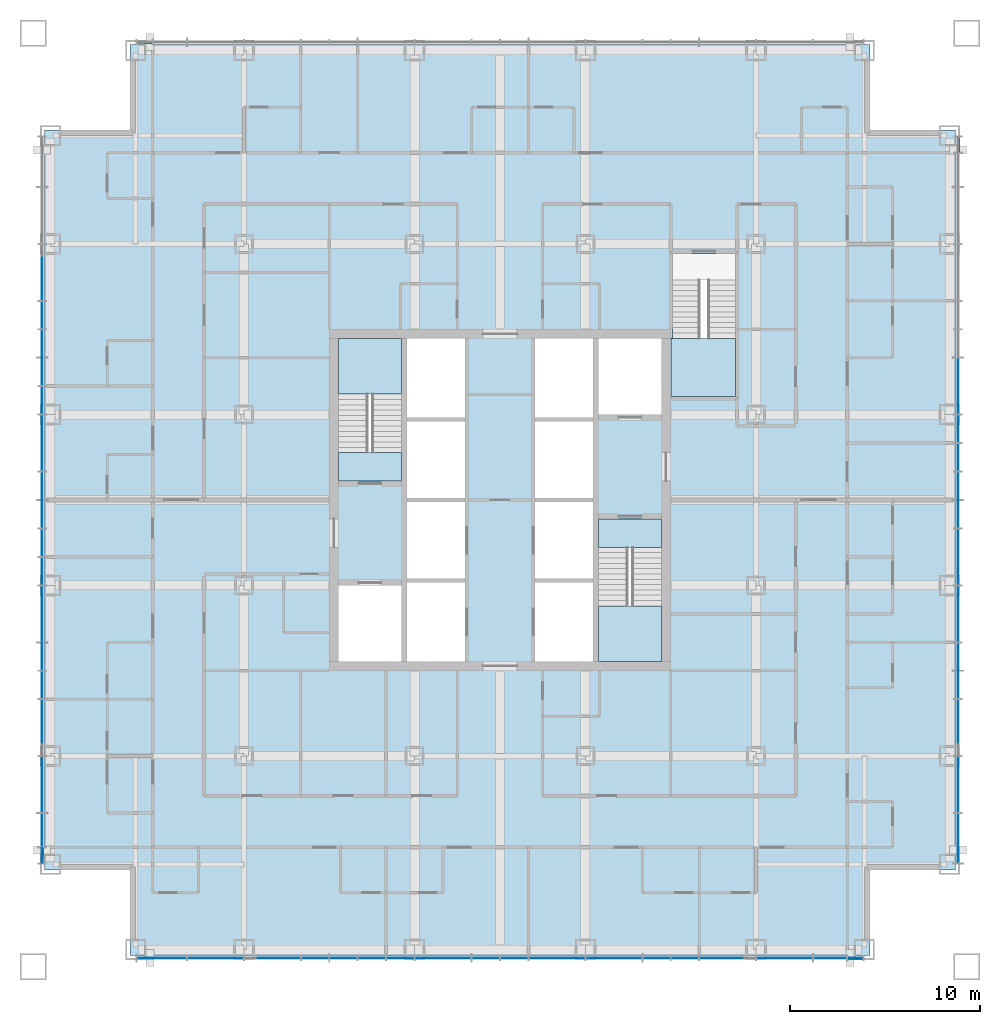
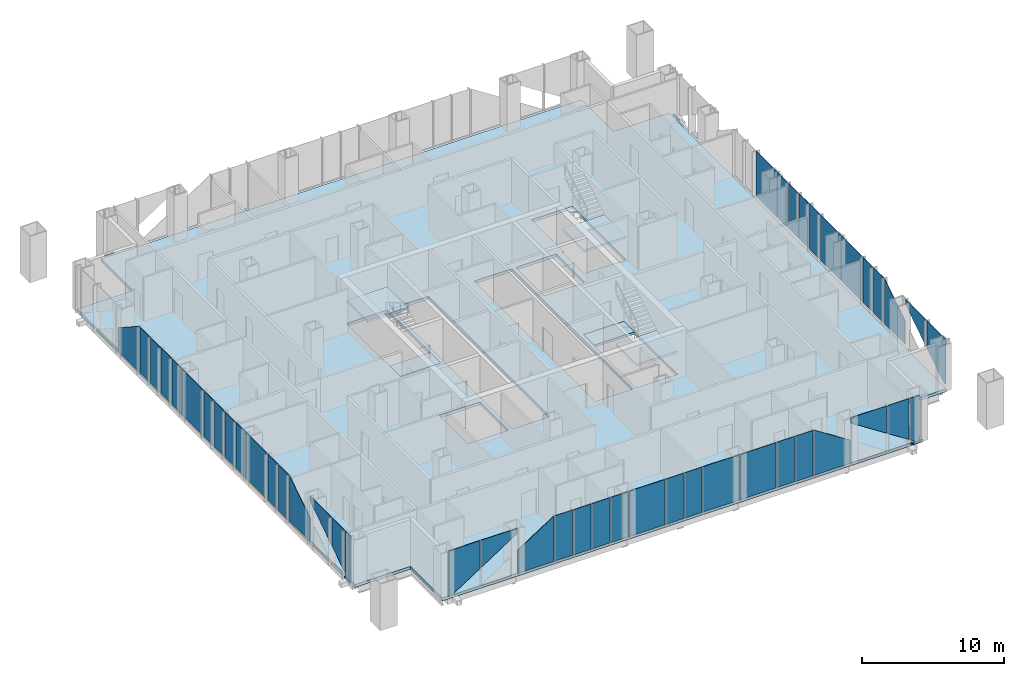
# One storey, part 7 of 16: 47 plates, 6 slabs, 4 members, 7 elements without a shape of their own.
"""IFC4 building model written with IfcOpenShell, lengths in metres."""

from ifc_helpers import new_model, si_unit, direction, frame, origin, origin_2d, place, context, subcontext, project, spatial, polyline, rectangle, outline, extrude, material, layer, layer_set, material_profile, profile_set, type_object, element, aggregate, save


model = new_model("IFC4")

# Units and contexts
model_context = context("Model", 3, precision=1e-05, world=origin(), true_north=direction((0.0, 1.0)))
body_context = subcontext(model_context, "Body", "Model", "MODEL_VIEW")
ifc_project = project(units=[si_unit("LENGTHUNIT", "METRE"), si_unit("AREAUNIT", "SQUARE_METRE"), si_unit("VOLUMEUNIT", "CUBIC_METRE"), si_unit("PLANEANGLEUNIT", "RADIAN"), si_unit("MASSUNIT", "GRAM", prefix="KILO")], contexts=[model_context])

# Site, building, storey
site_placement = place(None, origin())
site = spatial("IfcSite", under=ifc_project, at=site_placement, CompositionType="ELEMENT")
building_placement = place(site_placement, origin())
building = spatial("IfcBuilding", under=site, at=building_placement, Name="Malebo Sky Hospital", CompositionType="ELEMENT")
storey_placement = place(building_placement, frame((0.0, 0.0, 144.0)))
storey = spatial("IfcBuildingStorey", under=building, at=storey_placement, Name="L34", CompositionType="ELEMENT", Elevation=144.0)

# Curtain wall, member
ifc_material_1 = material(Name="Anodised aluminium, natural silver", Category="aluminium")
ifc_layer_1 = layer(ifc_material_1, 0.25)
ifc_layer_set_1 = layer_set([ifc_layer_1], Name="WARD CURTAIN WALL NORTH AND SOUTH")
curtain_wall_type_1 = type_object("IfcCurtainWallType", Name="WARD CURTAIN WALL NORTH AND SOUTH", PredefinedType="NOTDEFINED", material=ifc_layer_set_1)
curtain_wall_1_placement = place(storey_placement, origin())
curtain_wall_1 = element("IfcCurtainWall", 1, at=curtain_wall_1_placement, inside=storey, type_object=curtain_wall_type_1, Name="NS curtain wall N", PredefinedType="NOTDEFINED")
ifc_material_profile = material_profile(ifc_material_1, rectangle(XDim=0.14990234375, YDim=0.10009765625, at=origin_2d()), Name="ALUMINIUM TRANSOM 150x100")
ifc_profile_set = profile_set([ifc_material_profile], Name="Anodised aluminium, natural silver")
member_type = type_object("IfcMemberType", Name="ALUMINIUM TRANSOM 150x100", PredefinedType="USERDEFINED", material=ifc_profile_set)
member_1_placement = place(storey_placement, frame((40.875, 86.135009765625, 0.050048828125), z_axis=(1.0, 0.0, 0.0), x_axis=(0.0, 1.0, 0.0)))
member_1 = element("IfcMember", 2, at=member_1_placement, type_object=member_type, Name="Transom 1", ObjectType="TRANSOM", PredefinedType="USERDEFINED", context=body_context, shape_type="SweptSolid", body=[
    extrude(rectangle(XDim=0.14990234375, YDim=0.10009765625, at=origin_2d()), origin(), (0.0, 0.0, 1.0), 0.78759765625),
])
aggregate(curtain_wall_1, [member_1])

ifc_layer_2 = layer(ifc_material_1, 0.25)
ifc_layer_set_2 = layer_set([ifc_layer_2], Name="WARD CURTAIN WALL EAST AND WEST")
curtain_wall_type_2 = type_object("IfcCurtainWallType", Name="WARD CURTAIN WALL EAST AND WEST", PredefinedType="NOTDEFINED", material=ifc_layer_set_2)
curtain_wall_2_placement = place(storey_placement, origin())
curtain_wall_2 = element("IfcCurtainWall", 3, at=curtain_wall_2_placement, inside=storey, type_object=curtain_wall_type_2, Name="EW curtain wall W", PredefinedType="NOTDEFINED")
member_2_placement = place(storey_placement, frame((35.864990234375, 42.875, 0.050048828125), z_axis=(0.0, 1.0, 0.0), x_axis=(-1.0, 0.0, 0.0)))
member_2 = element("IfcMember", 4, at=member_2_placement, type_object=member_type, Name="Transom 1", ObjectType="TRANSOM", PredefinedType="USERDEFINED", context=body_context, shape_type="SweptSolid", body=[
    extrude(rectangle(XDim=0.14990234375, YDim=0.10009765625, at=origin_2d()), origin(), (0.0, 0.0, 1.0), 0.78759765625),
])

curtain_wall_3_placement = place(storey_placement, origin())
curtain_wall_3 = element("IfcCurtainWall", 5, at=curtain_wall_3_placement, inside=storey, type_object=curtain_wall_type_1, Name="NS curtain wall S", PredefinedType="NOTDEFINED")
member_3_placement = place(storey_placement, frame((79.125, 37.864990234375, 0.050048828125), z_axis=(-1.0, 0.0, 0.0), x_axis=(0.0, -1.0, 0.0)))
member_3 = element("IfcMember", 6, at=member_3_placement, type_object=member_type, Name="Transom 1", ObjectType="TRANSOM", PredefinedType="USERDEFINED", context=body_context, shape_type="SweptSolid", body=[
    extrude(rectangle(XDim=0.14990234375, YDim=0.10009765625, at=origin_2d()), origin(), (0.0, 0.0, 1.0), 0.78759765625),
])

curtain_wall_4_placement = place(storey_placement, origin())
curtain_wall_4 = element("IfcCurtainWall", 7, at=curtain_wall_4_placement, inside=storey, type_object=curtain_wall_type_2, Name="EW curtain wall E", PredefinedType="NOTDEFINED")
member_4_placement = place(storey_placement, frame((84.135009765625, 81.125, 0.050048828125), z_axis=(0.0, -1.0, 0.0), x_axis=(1.0, 0.0, 0.0)))
member_4 = element("IfcMember", 8, at=member_4_placement, type_object=member_type, Name="Transom 1", ObjectType="TRANSOM", PredefinedType="USERDEFINED", context=body_context, shape_type="SweptSolid", body=[
    extrude(rectangle(XDim=0.14990234375, YDim=0.10009765625, at=origin_2d()), origin(), (0.0, 0.0, 1.0), 0.78759765625),
])

# Slab
ifc_material_2 = material(Name="Concrete C40/50", Category="concrete")
ifc_layer_3 = layer(ifc_material_2, 0.25)
ifc_layer_set_3 = layer_set([ifc_layer_3], Name="COMPOSITE FLOOR SLAB 250")
slab_type_1 = type_object("IfcSlabType", Name="COMPOSITE FLOOR SLAB 250", PredefinedType="FLOOR", material=ifc_layer_set_3)
slab_1_placement = place(storey_placement, frame((0.0, 0.0, -0.25)))
element("IfcSlab", 9, at=slab_1_placement, inside=storey, type_object=slab_type_1, Name="Floor slab L34", PredefinedType="FLOOR", context=body_context, shape_type="SweptSolid", body=[
    extrude(outline(polyline([(40.5, 86.0), (40.5, 81.5), (36.0, 81.5), (36.0, 42.5), (40.5, 42.5), (40.5, 38.0), (79.5, 38.0), (79.5, 42.5), (84.0, 42.5), (84.0, 81.5), (79.5, 81.5), (79.5, 86.0), (40.5, 86.0)]), holes=[polyline([(55.10009765625, 70.5), (58.14990234375, 70.5), (58.14990234375, 53.5), (55.10009765625, 53.5), (55.10009765625, 70.5)]), polyline([(64.89990234375, 70.5), (64.89990234375, 53.5), (61.85009765625, 53.5), (61.85009765625, 70.5), (64.89990234375, 70.5)]), polyline([(54.800048828125, 63.0), (51.5, 63.0), (51.5, 70.5), (54.800048828125, 70.5), (54.800048828125, 63.0)]), polyline([(51.5, 53.5), (51.5, 57.5), (54.800048828125, 57.5), (54.800048828125, 53.5), (51.5, 53.5)]), polyline([(65.199951171875, 61.0), (68.5, 61.0), (68.5, 53.5), (65.199951171875, 53.5), (65.199951171875, 61.0)]), polyline([(68.5, 70.5), (68.5, 66.5), (65.199951171875, 66.5), (65.199951171875, 70.5), (68.5, 70.5)]), polyline([(69.0, 67.449951171875), (69.0, 70.52001953125), (69.10009765625, 70.52001953125), (69.10009765625, 75.0), (72.39990234375, 75.0), (72.39990234375, 67.449951171875), (69.10009765625, 67.449951171875), (69.0, 67.449951171875)])]), origin(), (0.0, 0.0, 1.0), 0.25),
])

# Stair, slabs
stair_type_1 = type_object("IfcStairType", Name="HALF-TURN STAIR 1500 R167", PredefinedType="HALF_TURN_STAIR", material=ifc_material_2)
stair_1_placement = place(storey_placement, origin())
stair_1 = element("IfcStair", 10, at=stair_1_placement, inside=storey, type_object=stair_type_1, Name="Stair S1 L34 type ST1", PredefinedType="HALF_TURN_STAIR")
ifc_layer_4 = layer(ifc_material_2, 0.199951171875)
ifc_layer_set_4 = layer_set([ifc_layer_4], Name="STAIR LANDING 200")
slab_type_2 = type_object("IfcSlabType", Name="STAIR LANDING 200", PredefinedType="LANDING", material=ifc_layer_set_4)
slab_2_placement = place(storey_placement, frame((0.0, 0.0, -0.199951171875)))
slab_2 = element("IfcSlab", 11, at=slab_2_placement, type_object=slab_type_2, Name="S1 landing 1", PredefinedType="LANDING", context=body_context, shape_type="SweptSolid", body=[
    extrude(outline(polyline([(51.5, 63.0), (54.800048828125, 63.0), (54.800048828125, 64.5), (51.5, 64.5), (51.5, 63.0)])), origin(), (0.0, 0.0, 1.0), 0.199951171875),
])
slab_3_placement = place(storey_placement, frame((0.0, 0.0, 1.800048828125)))
slab_3 = element("IfcSlab", 12, at=slab_3_placement, type_object=slab_type_2, Name="S1 landing 2", PredefinedType="LANDING", context=body_context, shape_type="SweptSolid", body=[
    extrude(outline(polyline([(51.5, 67.580078125), (54.800048828125, 67.580078125), (54.800048828125, 70.5), (51.5, 70.5), (51.5, 67.580078125)])), origin(), (0.0, 0.0, 1.0), 0.199951171875),
])
aggregate(stair_1, [slab_2, slab_3])

stair_2_placement = place(storey_placement, origin())
stair_2 = element("IfcStair", 13, at=stair_2_placement, inside=storey, type_object=stair_type_1, Name="Stair S2 L34 type ST1", PredefinedType="HALF_TURN_STAIR")
slab_4_placement = place(storey_placement, frame((0.0, 0.0, -0.199951171875)))
slab_4 = element("IfcSlab", 14, at=slab_4_placement, type_object=slab_type_2, Name="S2 landing 1", PredefinedType="LANDING", context=body_context, shape_type="SweptSolid", body=[
    extrude(outline(polyline([(65.199951171875, 59.5), (68.5, 59.5), (68.5, 61.0), (65.199951171875, 61.0), (65.199951171875, 59.5)])), origin(), (0.0, 0.0, 1.0), 0.199951171875),
])
slab_5_placement = place(storey_placement, frame((0.0, 0.0, 1.800048828125)))
slab_5 = element("IfcSlab", 15, at=slab_5_placement, type_object=slab_type_2, Name="S2 landing 2", PredefinedType="LANDING", context=body_context, shape_type="SweptSolid", body=[
    extrude(outline(polyline([(65.199951171875, 53.5), (68.5, 53.5), (68.5, 56.419921875), (65.199951171875, 56.419921875), (65.199951171875, 53.5)])), origin(), (0.0, 0.0, 1.0), 0.199951171875),
])
aggregate(stair_2, [slab_4, slab_5])

# Stair, slab
stair_type_2 = type_object("IfcStairType", Name="HALF-TURN STAIR 1400 R167", PredefinedType="HALF_TURN_STAIR", material=ifc_material_2)
stair_3_placement = place(storey_placement, origin())
stair_3 = element("IfcStair", 16, at=stair_3_placement, inside=storey, type_object=stair_type_2, Name="Stair S3 L34 type ST1B", PredefinedType="HALF_TURN_STAIR")
slab_6_placement = place(storey_placement, frame((0.0, 0.0, 1.800048828125)))
slab_6 = element("IfcSlab", 17, at=slab_6_placement, type_object=slab_type_2, Name="S3 landing 2", PredefinedType="LANDING", context=body_context, shape_type="SweptSolid", body=[
    extrude(outline(polyline([(69.0, 67.449951171875), (72.39990234375, 67.449951171875), (72.39990234375, 70.52001953125), (69.0, 70.52001953125), (69.0, 67.449951171875)])), origin(), (0.0, 0.0, 1.0), 0.199951171875),
])
aggregate(stair_3, [slab_6])

# Plate
ifc_material_3 = material(Name="Clear low-iron double glazing", Category="glass")
ifc_layer_5 = layer(ifc_material_3, 0.031982421875)
ifc_layer_set_5 = layer_set([ifc_layer_5], Name="VISION PANEL CLEAR 32")
plate_type = type_object("IfcPlateType", Name="VISION PANEL CLEAR 32", PredefinedType="CURTAIN_PANEL", material=ifc_layer_set_5)
plate_1_placement = place(storey_placement, frame((35.864990234375, 43.268798828125, 0.10009765625), z_axis=(0.0, 0.0, 1.0), x_axis=(0.0, 1.0, 0.0)))
plate_1 = element("IfcPlate", 18, at=plate_1_placement, type_object=plate_type, Name="Panel 1", PredefinedType="CURTAIN_PANEL", context=body_context, shape_type="SweptSolid", body=[
    extrude(outline(polyline([(-0.393798828125, 0.0), (-0.097412109375, 0.0), (0.393798828125, 0.319580078125), (0.393798828125, 3.889892578125), (-0.393798828125, 3.889892578125), (-0.393798828125, 0.0)])), frame((0.0, 0.01611328125, 0.0), z_axis=(0.0, -1.0, 0.0), x_axis=(1.0, 0.0, 0.0)), (0.0, 0.0, 1.0), 0.031982421875),
])

plate_2_placement = place(storey_placement, frame((35.864990234375, 44.60009765625, 0.46826171875), z_axis=(0.0, 0.0, 1.0), x_axis=(0.0, 1.0, 0.0)))
plate_2 = element("IfcPlate", 19, at=plate_2_placement, type_object=plate_type, Name="Panel 2", PredefinedType="CURTAIN_PANEL", context=body_context, shape_type="SweptSolid", body=[
    extrude(outline(polyline([(-0.862548828125, 0.0), (0.862548828125, 1.121826171875), (0.862548828125, 3.521728515625), (-0.862548828125, 3.521728515625), (-0.862548828125, 0.0)])), frame((0.0, 0.01611328125, 0.0), z_axis=(0.0, -1.0, 0.0), x_axis=(1.0, 0.0, 0.0)), (0.0, 0.0, 1.0), 0.031982421875),
])

plate_3_placement = place(storey_placement, frame((35.864990234375, 47.0, 1.638916015625), z_axis=(0.0, 0.0, 1.0), x_axis=(0.0, 1.0, 0.0)))
plate_3 = element("IfcPlate", 20, at=plate_3_placement, type_object=plate_type, Name="Panel 3", PredefinedType="CURTAIN_PANEL", context=body_context, shape_type="SweptSolid", body=[
    extrude(outline(polyline([(-1.46240234375, 0.0), (1.46240234375, 1.90234375), (1.46240234375, 2.35107421875), (-1.46240234375, 2.35107421875), (-1.46240234375, 0.0)])), frame((0.0, 0.01611328125, 0.0), z_axis=(0.0, -1.0, 0.0), x_axis=(1.0, 0.0, 0.0)), (0.0, 0.0, 1.0), 0.031982421875),
])

plate_4_placement = place(storey_placement, frame((35.864990234375, 50.0, 0.10009765625), z_axis=(0.0, 0.0, 1.0), x_axis=(0.0, 1.0, 0.0)))
plate_4 = element("IfcPlate", 21, at=plate_4_placement, type_object=plate_type, Name="Panel 4", PredefinedType="CURTAIN_PANEL", context=body_context, shape_type="SweptSolid", body=[
    extrude(outline(polyline([(-1.46240234375, 0.0), (1.46240234375, 0.0), (1.46240234375, 3.889892578125), (1.44677734375, 3.889892578125), (-1.46240234375, 1.997802734375), (-1.46240234375, 0.0)])), frame((0.0, 0.01611328125, 0.0), z_axis=(0.0, -1.0, 0.0), x_axis=(1.0, 0.0, 0.0)), (0.0, 0.0, 1.0), 0.031982421875),
])

plate_5_placement = place(storey_placement, frame((35.864990234375, 52.25, 0.10009765625), z_axis=(0.0, 0.0, 1.0), x_axis=(0.0, 1.0, 0.0)))
plate_5 = element("IfcPlate", 22, at=plate_5_placement, type_object=plate_type, Name="Panel 5", PredefinedType="CURTAIN_PANEL", context=body_context, shape_type="SweptSolid", body=[
    extrude(rectangle(XDim=1.425048828125, YDim=0.031982421875, at=origin_2d()), origin(), (0.0, 0.0, 1.0), 3.889892578125),
])

plate_6_placement = place(storey_placement, frame((35.864990234375, 53.75, 0.10009765625), z_axis=(0.0, 0.0, 1.0), x_axis=(0.0, 1.0, 0.0)))
plate_6 = element("IfcPlate", 23, at=plate_6_placement, type_object=plate_type, Name="Panel 6", PredefinedType="CURTAIN_PANEL", context=body_context, shape_type="SweptSolid", body=[
    extrude(rectangle(XDim=1.425048828125, YDim=0.031982421875, at=origin_2d()), origin(), (0.0, 0.0, 1.0), 3.889892578125),
])

plate_7_placement = place(storey_placement, frame((35.864990234375, 56.0, 0.10009765625), z_axis=(0.0, 0.0, 1.0), x_axis=(0.0, 1.0, 0.0)))
plate_7 = element("IfcPlate", 24, at=plate_7_placement, type_object=plate_type, Name="Panel 7", PredefinedType="CURTAIN_PANEL", context=body_context, shape_type="SweptSolid", body=[
    extrude(rectangle(XDim=2.925048828125, YDim=0.031982421875, at=origin_2d()), origin(), (0.0, 0.0, 1.0), 3.889892578125),
])

plate_8_placement = place(storey_placement, frame((35.864990234375, 58.25, 0.10009765625), z_axis=(0.0, 0.0, 1.0), x_axis=(0.0, 1.0, 0.0)))
plate_8 = element("IfcPlate", 25, at=plate_8_placement, type_object=plate_type, Name="Panel 8", PredefinedType="CURTAIN_PANEL", context=body_context, shape_type="SweptSolid", body=[
    extrude(rectangle(XDim=1.425048828125, YDim=0.031982421875, at=origin_2d()), origin(), (0.0, 0.0, 1.0), 3.889892578125),
])

plate_9_placement = place(storey_placement, frame((35.864990234375, 59.75, 0.10009765625), z_axis=(0.0, 0.0, 1.0), x_axis=(0.0, 1.0, 0.0)))
plate_9 = element("IfcPlate", 26, at=plate_9_placement, type_object=plate_type, Name="Panel 9", PredefinedType="CURTAIN_PANEL", context=body_context, shape_type="SweptSolid", body=[
    extrude(rectangle(XDim=1.425048828125, YDim=0.031982421875, at=origin_2d()), origin(), (0.0, 0.0, 1.0), 3.889892578125),
])

plate_10_placement = place(storey_placement, frame((35.864990234375, 61.25, 0.10009765625), z_axis=(0.0, 0.0, 1.0), x_axis=(0.0, 1.0, 0.0)))
plate_10 = element("IfcPlate", 27, at=plate_10_placement, type_object=plate_type, Name="Panel 10", PredefinedType="CURTAIN_PANEL", context=body_context, shape_type="SweptSolid", body=[
    extrude(rectangle(XDim=1.425048828125, YDim=0.031982421875, at=origin_2d()), origin(), (0.0, 0.0, 1.0), 3.889892578125),
])

plate_11_placement = place(storey_placement, frame((35.864990234375, 62.75, 0.10009765625), z_axis=(0.0, 0.0, 1.0), x_axis=(0.0, 1.0, 0.0)))
plate_11 = element("IfcPlate", 28, at=plate_11_placement, type_object=plate_type, Name="Panel 11", PredefinedType="CURTAIN_PANEL", context=body_context, shape_type="SweptSolid", body=[
    extrude(rectangle(XDim=1.425048828125, YDim=0.031982421875, at=origin_2d()), origin(), (0.0, 0.0, 1.0), 3.889892578125),
])

plate_12_placement = place(storey_placement, frame((35.864990234375, 65.0, 0.10009765625), z_axis=(0.0, 0.0, 1.0), x_axis=(0.0, 1.0, 0.0)))
plate_12 = element("IfcPlate", 29, at=plate_12_placement, type_object=plate_type, Name="Panel 12", PredefinedType="CURTAIN_PANEL", context=body_context, shape_type="SweptSolid", body=[
    extrude(rectangle(XDim=2.925048828125, YDim=0.031982421875, at=origin_2d()), origin(), (0.0, 0.0, 1.0), 3.889892578125),
])

plate_13_placement = place(storey_placement, frame((35.864990234375, 67.25, 0.10009765625), z_axis=(0.0, 0.0, 1.0), x_axis=(0.0, 1.0, 0.0)))
plate_13 = element("IfcPlate", 30, at=plate_13_placement, type_object=plate_type, Name="Panel 13", PredefinedType="CURTAIN_PANEL", context=body_context, shape_type="SweptSolid", body=[
    extrude(rectangle(XDim=1.425048828125, YDim=0.031982421875, at=origin_2d()), origin(), (0.0, 0.0, 1.0), 3.889892578125),
])

plate_14_placement = place(storey_placement, frame((35.864990234375, 68.75, 0.10009765625), z_axis=(0.0, 0.0, 1.0), x_axis=(0.0, 1.0, 0.0)))
plate_14 = element("IfcPlate", 31, at=plate_14_placement, type_object=plate_type, Name="Panel 14", PredefinedType="CURTAIN_PANEL", context=body_context, shape_type="SweptSolid", body=[
    extrude(rectangle(XDim=1.425048828125, YDim=0.031982421875, at=origin_2d()), origin(), (0.0, 0.0, 1.0), 3.889892578125),
])

plate_15_placement = place(storey_placement, frame((35.864990234375, 70.25, 0.10009765625), z_axis=(0.0, 0.0, 1.0), x_axis=(0.0, 1.0, 0.0)))
plate_15 = element("IfcPlate", 32, at=plate_15_placement, type_object=plate_type, Name="Panel 15", PredefinedType="CURTAIN_PANEL", context=body_context, shape_type="SweptSolid", body=[
    extrude(rectangle(XDim=1.425048828125, YDim=0.031982421875, at=origin_2d()), origin(), (0.0, 0.0, 1.0), 3.889892578125),
])

plate_16_placement = place(storey_placement, frame((35.864990234375, 71.75, 0.10009765625), z_axis=(0.0, 0.0, 1.0), x_axis=(0.0, 1.0, 0.0)))
plate_16 = element("IfcPlate", 33, at=plate_16_placement, type_object=plate_type, Name="Panel 16", PredefinedType="CURTAIN_PANEL", context=body_context, shape_type="SweptSolid", body=[
    extrude(rectangle(XDim=1.425048828125, YDim=0.031982421875, at=origin_2d()), origin(), (0.0, 0.0, 1.0), 3.889892578125),
])

plate_17_placement = place(storey_placement, frame((35.864990234375, 74.0, 0.10009765625), z_axis=(0.0, 0.0, 1.0), x_axis=(0.0, 1.0, 0.0)))
plate_17 = element("IfcPlate", 34, at=plate_17_placement, type_object=plate_type, Name="Panel 17", PredefinedType="CURTAIN_PANEL", context=body_context, shape_type="SweptSolid", body=[
    extrude(outline(polyline([(-1.46240234375, 0.0), (1.46240234375, 0.0), (1.46240234375, 1.997802734375), (-1.44677734375, 3.889892578125), (-1.46240234375, 3.889892578125), (-1.46240234375, 0.0)])), frame((0.0, 0.01611328125, 0.0), z_axis=(0.0, -1.0, 0.0), x_axis=(1.0, 0.0, 0.0)), (0.0, 0.0, 1.0), 0.031982421875),
])

aggregate(curtain_wall_2, [member_2, plate_1, plate_2, plate_3, plate_4, plate_5, plate_6, plate_7, plate_8, plate_9, plate_10, plate_11, plate_12, plate_13, plate_14, plate_15, plate_16, plate_17])

plate_18_placement = place(storey_placement, frame((78.731201171875, 37.864990234375, 0.10009765625), z_axis=(0.0, 0.0, 1.0), x_axis=(-1.0, 0.0, 0.0)))
plate_18 = element("IfcPlate", 35, at=plate_18_placement, type_object=plate_type, Name="Panel 1", PredefinedType="CURTAIN_PANEL", context=body_context, shape_type="SweptSolid", body=[
    extrude(outline(polyline([(-0.393798828125, 0.0), (-0.097412109375, 0.0), (0.393798828125, 0.319580078125), (0.393798828125, 3.889892578125), (-0.393798828125, 3.889892578125), (-0.393798828125, 0.0)])), frame((0.0, 0.01611328125, 0.0), z_axis=(0.0, -1.0, 0.0), x_axis=(1.0, 0.0, 0.0)), (0.0, 0.0, 1.0), 0.031982421875),
])

plate_19_placement = place(storey_placement, frame((77.39990234375, 37.864990234375, 0.46826171875), z_axis=(0.0, 0.0, 1.0), x_axis=(-1.0, 0.0, 0.0)))
plate_19 = element("IfcPlate", 36, at=plate_19_placement, type_object=plate_type, Name="Panel 2", PredefinedType="CURTAIN_PANEL", context=body_context, shape_type="SweptSolid", body=[
    extrude(outline(polyline([(-0.862548828125, 0.0), (0.862548828125, 1.121826171875), (0.862548828125, 3.521728515625), (-0.862548828125, 3.521728515625), (-0.862548828125, 0.0)])), frame((0.0, 0.01611328125, 0.0), z_axis=(0.0, -1.0, 0.0), x_axis=(1.0, 0.0, 0.0)), (0.0, 0.0, 1.0), 0.031982421875),
])

plate_20_placement = place(storey_placement, frame((75.0, 37.864990234375, 1.638916015625), z_axis=(0.0, 0.0, 1.0), x_axis=(-1.0, 0.0, 0.0)))
plate_20 = element("IfcPlate", 37, at=plate_20_placement, type_object=plate_type, Name="Panel 3", PredefinedType="CURTAIN_PANEL", context=body_context, shape_type="SweptSolid", body=[
    extrude(outline(polyline([(-1.46240234375, 0.0), (1.46240234375, 1.90234375), (1.46240234375, 2.35107421875), (-1.46240234375, 2.35107421875), (-1.46240234375, 0.0)])), frame((0.0, 0.01611328125, 0.0), z_axis=(0.0, -1.0, 0.0), x_axis=(1.0, 0.0, 0.0)), (0.0, 0.0, 1.0), 0.031982421875),
])

plate_21_placement = place(storey_placement, frame((72.0, 37.864990234375, 0.10009765625), z_axis=(0.0, 0.0, 1.0), x_axis=(-1.0, 0.0, 0.0)))
plate_21 = element("IfcPlate", 38, at=plate_21_placement, type_object=plate_type, Name="Panel 4", PredefinedType="CURTAIN_PANEL", context=body_context, shape_type="SweptSolid", body=[
    extrude(outline(polyline([(-1.46240234375, 0.0), (1.46240234375, 0.0), (1.46240234375, 3.889892578125), (1.44677734375, 3.889892578125), (-1.46240234375, 1.997802734375), (-1.46240234375, 0.0)])), frame((0.0, 0.01611328125, 0.0), z_axis=(0.0, -1.0, 0.0), x_axis=(1.0, 0.0, 0.0)), (0.0, 0.0, 1.0), 0.031982421875),
])

plate_22_placement = place(storey_placement, frame((69.75, 37.864990234375, 0.10009765625), z_axis=(0.0, 0.0, 1.0), x_axis=(-1.0, 0.0, 0.0)))
plate_22 = element("IfcPlate", 39, at=plate_22_placement, type_object=plate_type, Name="Panel 5", PredefinedType="CURTAIN_PANEL", context=body_context, shape_type="SweptSolid", body=[
    extrude(rectangle(XDim=1.425048828125, YDim=0.031982421875, at=origin_2d()), origin(), (0.0, 0.0, 1.0), 3.889892578125),
])

plate_23_placement = place(storey_placement, frame((68.25, 37.864990234375, 0.10009765625), z_axis=(0.0, 0.0, 1.0), x_axis=(-1.0, 0.0, 0.0)))
plate_23 = element("IfcPlate", 40, at=plate_23_placement, type_object=plate_type, Name="Panel 6", PredefinedType="CURTAIN_PANEL", context=body_context, shape_type="SweptSolid", body=[
    extrude(rectangle(XDim=1.425048828125, YDim=0.031982421875, at=origin_2d()), origin(), (0.0, 0.0, 1.0), 3.889892578125),
])

plate_24_placement = place(storey_placement, frame((66.0, 37.864990234375, 0.10009765625), z_axis=(0.0, 0.0, 1.0), x_axis=(-1.0, 0.0, 0.0)))
plate_24 = element("IfcPlate", 41, at=plate_24_placement, type_object=plate_type, Name="Panel 7", PredefinedType="CURTAIN_PANEL", context=body_context, shape_type="SweptSolid", body=[
    extrude(rectangle(XDim=2.925048828125, YDim=0.031982421875, at=origin_2d()), origin(), (0.0, 0.0, 1.0), 3.889892578125),
])

plate_25_placement = place(storey_placement, frame((63.0, 37.864990234375, 0.10009765625), z_axis=(0.0, 0.0, 1.0), x_axis=(-1.0, 0.0, 0.0)))
plate_25 = element("IfcPlate", 42, at=plate_25_placement, type_object=plate_type, Name="Panel 8", PredefinedType="CURTAIN_PANEL", context=body_context, shape_type="SweptSolid", body=[
    extrude(rectangle(XDim=2.925048828125, YDim=0.031982421875, at=origin_2d()), origin(), (0.0, 0.0, 1.0), 3.889892578125),
])

plate_26_placement = place(storey_placement, frame((60.75, 37.864990234375, 0.10009765625), z_axis=(0.0, 0.0, 1.0), x_axis=(-1.0, 0.0, 0.0)))
plate_26 = element("IfcPlate", 43, at=plate_26_placement, type_object=plate_type, Name="Panel 9", PredefinedType="CURTAIN_PANEL", context=body_context, shape_type="SweptSolid", body=[
    extrude(rectangle(XDim=1.425048828125, YDim=0.031982421875, at=origin_2d()), origin(), (0.0, 0.0, 1.0), 3.889892578125),
])

plate_27_placement = place(storey_placement, frame((59.25, 37.864990234375, 0.10009765625), z_axis=(0.0, 0.0, 1.0), x_axis=(-1.0, 0.0, 0.0)))
plate_27 = element("IfcPlate", 44, at=plate_27_placement, type_object=plate_type, Name="Panel 10", PredefinedType="CURTAIN_PANEL", context=body_context, shape_type="SweptSolid", body=[
    extrude(rectangle(XDim=1.425048828125, YDim=0.031982421875, at=origin_2d()), origin(), (0.0, 0.0, 1.0), 3.889892578125),
])

plate_28_placement = place(storey_placement, frame((57.0, 37.864990234375, 0.10009765625), z_axis=(0.0, 0.0, 1.0), x_axis=(-1.0, 0.0, 0.0)))
plate_28 = element("IfcPlate", 45, at=plate_28_placement, type_object=plate_type, Name="Panel 11", PredefinedType="CURTAIN_PANEL", context=body_context, shape_type="SweptSolid", body=[
    extrude(rectangle(XDim=2.925048828125, YDim=0.031982421875, at=origin_2d()), origin(), (0.0, 0.0, 1.0), 3.889892578125),
])

plate_29_placement = place(storey_placement, frame((54.75, 37.864990234375, 0.10009765625), z_axis=(0.0, 0.0, 1.0), x_axis=(-1.0, 0.0, 0.0)))
plate_29 = element("IfcPlate", 46, at=plate_29_placement, type_object=plate_type, Name="Panel 12", PredefinedType="CURTAIN_PANEL", context=body_context, shape_type="SweptSolid", body=[
    extrude(rectangle(XDim=1.425048828125, YDim=0.031982421875, at=origin_2d()), origin(), (0.0, 0.0, 1.0), 3.889892578125),
])

plate_30_placement = place(storey_placement, frame((53.25, 37.864990234375, 0.10009765625), z_axis=(0.0, 0.0, 1.0), x_axis=(-1.0, 0.0, 0.0)))
plate_30 = element("IfcPlate", 47, at=plate_30_placement, type_object=plate_type, Name="Panel 13", PredefinedType="CURTAIN_PANEL", context=body_context, shape_type="SweptSolid", body=[
    extrude(rectangle(XDim=1.425048828125, YDim=0.031982421875, at=origin_2d()), origin(), (0.0, 0.0, 1.0), 3.889892578125),
])

plate_31_placement = place(storey_placement, frame((51.75, 37.864990234375, 0.10009765625), z_axis=(0.0, 0.0, 1.0), x_axis=(-1.0, 0.0, 0.0)))
plate_31 = element("IfcPlate", 48, at=plate_31_placement, type_object=plate_type, Name="Panel 14", PredefinedType="CURTAIN_PANEL", context=body_context, shape_type="SweptSolid", body=[
    extrude(rectangle(XDim=1.425048828125, YDim=0.031982421875, at=origin_2d()), origin(), (0.0, 0.0, 1.0), 3.889892578125),
])

plate_32_placement = place(storey_placement, frame((50.25, 37.864990234375, 0.10009765625), z_axis=(0.0, 0.0, 1.0), x_axis=(-1.0, 0.0, 0.0)))
plate_32 = element("IfcPlate", 49, at=plate_32_placement, type_object=plate_type, Name="Panel 15", PredefinedType="CURTAIN_PANEL", context=body_context, shape_type="SweptSolid", body=[
    extrude(rectangle(XDim=1.425048828125, YDim=0.031982421875, at=origin_2d()), origin(), (0.0, 0.0, 1.0), 3.889892578125),
])

plate_33_placement = place(storey_placement, frame((48.0, 37.864990234375, 0.10009765625), z_axis=(0.0, 0.0, 1.0), x_axis=(-1.0, 0.0, 0.0)))
plate_33 = element("IfcPlate", 50, at=plate_33_placement, type_object=plate_type, Name="Panel 16", PredefinedType="CURTAIN_PANEL", context=body_context, shape_type="SweptSolid", body=[
    extrude(outline(polyline([(-1.46240234375, 0.0), (1.46240234375, 0.0), (1.46240234375, 1.997802734375), (-1.44677734375, 3.889892578125), (-1.46240234375, 3.889892578125), (-1.46240234375, 0.0)])), frame((0.0, 0.01611328125, 0.0), z_axis=(0.0, -1.0, 0.0), x_axis=(1.0, 0.0, 0.0)), (0.0, 0.0, 1.0), 0.031982421875),
])

plate_34_placement = place(storey_placement, frame((45.0, 37.864990234375, 1.638916015625), z_axis=(0.0, 0.0, 1.0), x_axis=(-1.0, 0.0, 0.0)))
plate_34 = element("IfcPlate", 51, at=plate_34_placement, type_object=plate_type, Name="Panel 17", PredefinedType="CURTAIN_PANEL", context=body_context, shape_type="SweptSolid", body=[
    extrude(outline(polyline([(1.46240234375, 0.0), (1.46240234375, 2.35107421875), (-1.46240234375, 2.35107421875), (-1.46240234375, 1.90234375), (1.46240234375, 0.0)])), frame((0.0, 0.01611328125, 0.0), z_axis=(0.0, -1.0, 0.0), x_axis=(1.0, 0.0, 0.0)), (0.0, 0.0, 1.0), 0.031982421875),
])

plate_35_placement = place(storey_placement, frame((42.168701171875, 37.864990234375, 0.10009765625), z_axis=(0.0, 0.0, 1.0), x_axis=(-1.0, 0.0, 0.0)))
plate_35 = element("IfcPlate", 52, at=plate_35_placement, type_object=plate_type, Name="Panel 18", PredefinedType="CURTAIN_PANEL", context=body_context, shape_type="SweptSolid", body=[
    extrude(outline(polyline([(0.99755859375, 0.0), (1.293701171875, 0.0), (1.293701171875, 3.889892578125), (-1.293701171875, 3.889892578125), (-1.293701171875, 1.490234375), (0.99755859375, 0.0)])), frame((0.0, 0.01611328125, 0.0), z_axis=(0.0, -1.0, 0.0), x_axis=(1.0, 0.0, 0.0)), (0.0, 0.0, 1.0), 0.031982421875),
])

aggregate(curtain_wall_3, [member_3, plate_18, plate_19, plate_20, plate_21, plate_22, plate_23, plate_24, plate_25, plate_26, plate_27, plate_28, plate_29, plate_30, plate_31, plate_32, plate_33, plate_34, plate_35])

plate_36_placement = place(storey_placement, frame((84.135009765625, 68.0, 0.10009765625), z_axis=(0.0, 0.0, 1.0), x_axis=(0.0, -1.0, 0.0)))
plate_36 = element("IfcPlate", 53, at=plate_36_placement, type_object=plate_type, Name="Panel 7", PredefinedType="CURTAIN_PANEL", context=body_context, shape_type="SweptSolid", body=[
    extrude(rectangle(XDim=2.925048828125, YDim=0.031982421875, at=origin_2d()), origin(), (0.0, 0.0, 1.0), 3.889892578125),
])

plate_37_placement = place(storey_placement, frame((84.135009765625, 65.75, 0.10009765625), z_axis=(0.0, 0.0, 1.0), x_axis=(0.0, -1.0, 0.0)))
plate_37 = element("IfcPlate", 54, at=plate_37_placement, type_object=plate_type, Name="Panel 8", PredefinedType="CURTAIN_PANEL", context=body_context, shape_type="SweptSolid", body=[
    extrude(rectangle(XDim=1.425048828125, YDim=0.031982421875, at=origin_2d()), origin(), (0.0, 0.0, 1.0), 3.889892578125),
])

plate_38_placement = place(storey_placement, frame((84.135009765625, 64.25, 0.10009765625), z_axis=(0.0, 0.0, 1.0), x_axis=(0.0, -1.0, 0.0)))
plate_38 = element("IfcPlate", 55, at=plate_38_placement, type_object=plate_type, Name="Panel 9", PredefinedType="CURTAIN_PANEL", context=body_context, shape_type="SweptSolid", body=[
    extrude(rectangle(XDim=1.425048828125, YDim=0.031982421875, at=origin_2d()), origin(), (0.0, 0.0, 1.0), 3.889892578125),
])

plate_39_placement = place(storey_placement, frame((84.135009765625, 62.75, 0.10009765625), z_axis=(0.0, 0.0, 1.0), x_axis=(0.0, -1.0, 0.0)))
plate_39 = element("IfcPlate", 56, at=plate_39_placement, type_object=plate_type, Name="Panel 10", PredefinedType="CURTAIN_PANEL", context=body_context, shape_type="SweptSolid", body=[
    extrude(rectangle(XDim=1.425048828125, YDim=0.031982421875, at=origin_2d()), origin(), (0.0, 0.0, 1.0), 3.889892578125),
])

plate_40_placement = place(storey_placement, frame((84.135009765625, 61.25, 0.10009765625), z_axis=(0.0, 0.0, 1.0), x_axis=(0.0, -1.0, 0.0)))
plate_40 = element("IfcPlate", 57, at=plate_40_placement, type_object=plate_type, Name="Panel 11", PredefinedType="CURTAIN_PANEL", context=body_context, shape_type="SweptSolid", body=[
    extrude(rectangle(XDim=1.425048828125, YDim=0.031982421875, at=origin_2d()), origin(), (0.0, 0.0, 1.0), 3.889892578125),
])

plate_41_placement = place(storey_placement, frame((84.135009765625, 59.0, 0.10009765625), z_axis=(0.0, 0.0, 1.0), x_axis=(0.0, -1.0, 0.0)))
plate_41 = element("IfcPlate", 58, at=plate_41_placement, type_object=plate_type, Name="Panel 12", PredefinedType="CURTAIN_PANEL", context=body_context, shape_type="SweptSolid", body=[
    extrude(rectangle(XDim=2.925048828125, YDim=0.031982421875, at=origin_2d()), origin(), (0.0, 0.0, 1.0), 3.889892578125),
])

plate_42_placement = place(storey_placement, frame((84.135009765625, 56.0, 0.10009765625), z_axis=(0.0, 0.0, 1.0), x_axis=(0.0, -1.0, 0.0)))
plate_42 = element("IfcPlate", 59, at=plate_42_placement, type_object=plate_type, Name="Panel 13", PredefinedType="CURTAIN_PANEL", context=body_context, shape_type="SweptSolid", body=[
    extrude(rectangle(XDim=2.925048828125, YDim=0.031982421875, at=origin_2d()), origin(), (0.0, 0.0, 1.0), 3.889892578125),
])

plate_43_placement = place(storey_placement, frame((84.135009765625, 53.75, 0.10009765625), z_axis=(0.0, 0.0, 1.0), x_axis=(0.0, -1.0, 0.0)))
plate_43 = element("IfcPlate", 60, at=plate_43_placement, type_object=plate_type, Name="Panel 14", PredefinedType="CURTAIN_PANEL", context=body_context, shape_type="SweptSolid", body=[
    extrude(rectangle(XDim=1.425048828125, YDim=0.031982421875, at=origin_2d()), origin(), (0.0, 0.0, 1.0), 3.889892578125),
])

plate_44_placement = place(storey_placement, frame((84.135009765625, 52.25, 0.10009765625), z_axis=(0.0, 0.0, 1.0), x_axis=(0.0, -1.0, 0.0)))
plate_44 = element("IfcPlate", 61, at=plate_44_placement, type_object=plate_type, Name="Panel 15", PredefinedType="CURTAIN_PANEL", context=body_context, shape_type="SweptSolid", body=[
    extrude(rectangle(XDim=1.425048828125, YDim=0.031982421875, at=origin_2d()), origin(), (0.0, 0.0, 1.0), 3.889892578125),
])

plate_45_placement = place(storey_placement, frame((84.135009765625, 50.0, 0.10009765625), z_axis=(0.0, 0.0, 1.0), x_axis=(0.0, -1.0, 0.0)))
plate_45 = element("IfcPlate", 62, at=plate_45_placement, type_object=plate_type, Name="Panel 16", PredefinedType="CURTAIN_PANEL", context=body_context, shape_type="SweptSolid", body=[
    extrude(outline(polyline([(-1.46240234375, 0.0), (1.46240234375, 0.0), (1.46240234375, 1.997802734375), (-1.44677734375, 3.889892578125), (-1.46240234375, 3.889892578125), (-1.46240234375, 0.0)])), frame((0.0, 0.01611328125, 0.0), z_axis=(0.0, -1.0, 0.0), x_axis=(1.0, 0.0, 0.0)), (0.0, 0.0, 1.0), 0.031982421875),
])

plate_46_placement = place(storey_placement, frame((84.135009765625, 47.0, 1.638916015625), z_axis=(0.0, 0.0, 1.0), x_axis=(0.0, -1.0, 0.0)))
plate_46 = element("IfcPlate", 63, at=plate_46_placement, type_object=plate_type, Name="Panel 17", PredefinedType="CURTAIN_PANEL", context=body_context, shape_type="SweptSolid", body=[
    extrude(outline(polyline([(1.46240234375, 0.0), (1.46240234375, 2.35107421875), (-1.46240234375, 2.35107421875), (-1.46240234375, 1.90234375), (1.46240234375, 0.0)])), frame((0.0, 0.01611328125, 0.0), z_axis=(0.0, -1.0, 0.0), x_axis=(1.0, 0.0, 0.0)), (0.0, 0.0, 1.0), 0.031982421875),
])

plate_47_placement = place(storey_placement, frame((84.135009765625, 44.168701171875, 0.10009765625), z_axis=(0.0, 0.0, 1.0), x_axis=(0.0, -1.0, 0.0)))
plate_47 = element("IfcPlate", 64, at=plate_47_placement, type_object=plate_type, Name="Panel 18", PredefinedType="CURTAIN_PANEL", context=body_context, shape_type="SweptSolid", body=[
    extrude(outline(polyline([(0.99755859375, 0.0), (1.293701171875, 0.0), (1.293701171875, 3.889892578125), (-1.293701171875, 3.889892578125), (-1.293701171875, 1.490234375), (0.99755859375, 0.0)])), frame((0.0, 0.01611328125, 0.0), z_axis=(0.0, -1.0, 0.0), x_axis=(1.0, 0.0, 0.0)), (0.0, 0.0, 1.0), 0.031982421875),
])

aggregate(curtain_wall_4, [member_4, plate_36, plate_37, plate_38, plate_39, plate_40, plate_41, plate_42, plate_43, plate_44, plate_45, plate_46, plate_47])

save(model, "model.ifc")
